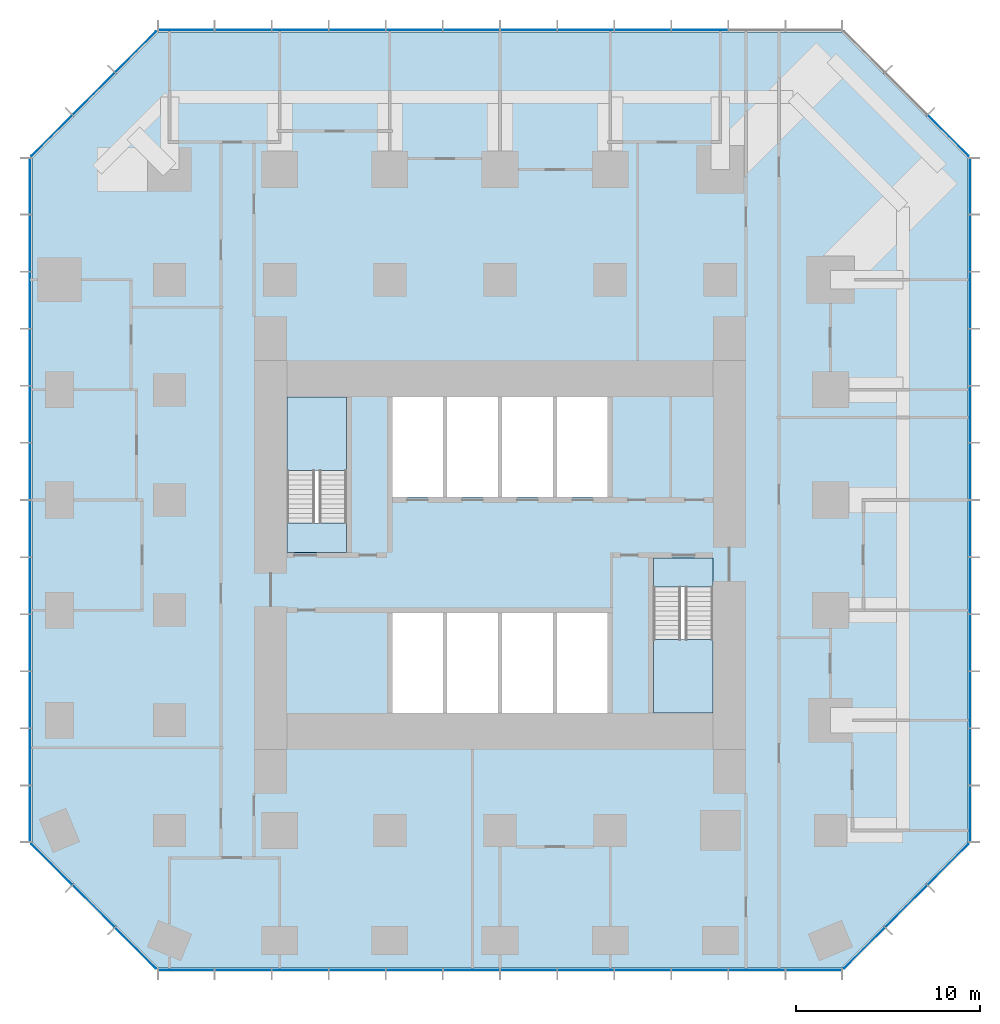
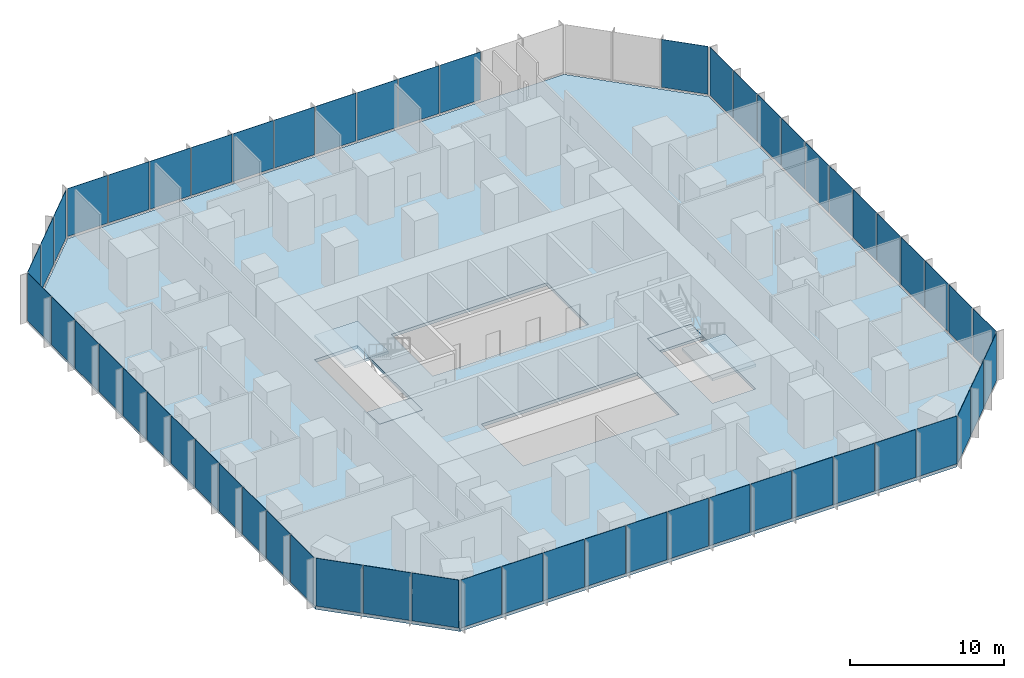
# One storey, part 7 of 12: 56 plates, 5 slabs, 10 elements without a shape of their own.
"""IFC4 building model written with IfcOpenShell, lengths in metres."""

import ifcopenshell
import ifcopenshell.guid

model = None  # the IFC model being written
_history = None  # IfcOwnerHistory: only IFC2X3 demands one
_inside = {}  # id of a spatial element -> (the spatial element, [elements in it])
_under = {}  # id of a project, library or spatial element -> (it, [spatial elements below it])
_declared = {}  # id of a project -> (the project, [libraries it declares])
_typed = {}  # id of a type object -> (the type object, [elements of that type])
_made_of = {}  # id of a material, layer set ... -> (it, [elements and type objects made of it])


def new_model(schema):
    """Start an empty IFC model of exactly this schema.

    Asked for "IFC4X3", IfcOpenShell would pick the latest addendum, in which some entities
    have other attributes; the version numbers below select the first issue.
    IFC2X3 requires an IfcOwnerHistory on every rooted entity: one is made here for all.
    """
    global model, _history
    if schema == "IFC4X3":
        model = ifcopenshell.file(schema_version=(4, 3, 0, 0))
    else:
        model = ifcopenshell.file(schema=schema)
    _inside.clear()
    _under.clear()
    _declared.clear()
    _typed.clear()
    _made_of.clear()
    _history = None
    if model.schema == "IFC2X3":
        org = make("IfcOrganization", Name="unknown")
        user = make(
            "IfcPersonAndOrganization",
            ThePerson=make("IfcPerson", FamilyName="unknown"),
            TheOrganization=org,
        )
        app = make(
            "IfcApplication",
            ApplicationDeveloper=org,
            Version="unknown",
            ApplicationFullName="unknown",
            ApplicationIdentifier="unknown",
        )
        _history = make(
            "IfcOwnerHistory",
            OwningUser=user,
            OwningApplication=app,
            ChangeAction="ADDED",
            CreationDate=0,
        )
    return model


def make(cls, **values):
    """One entity of the class cls with the attributes given. An attribute that is None is left unset."""
    return model.create_entity(
        cls, **{name: value for name, value in values.items() if value is not None}
    )


def rooted(cls, **values):
    """An entity with a GlobalId (a new one), such as an element, a storey or a relation."""
    return make(cls, GlobalId=ifcopenshell.guid.new(), OwnerHistory=_history, **values)


def si_unit(unit_type, name, prefix=None):
    """IfcSIUnit, for example si_unit("LENGTHUNIT", "METRE", prefix="MILLI")."""
    return make("IfcSIUnit", UnitType=unit_type, Prefix=prefix, Name=name)


def assignment(units):
    """IfcUnitAssignment: the units of a project."""
    return None if units is None else make("IfcUnitAssignment", Units=units)


def point(xyz):
    """IfcCartesianPoint."""
    return None if xyz is None else make("IfcCartesianPoint", Coordinates=xyz)


def direction(xyz):
    """IfcDirection."""
    return None if xyz is None else make("IfcDirection", DirectionRatios=xyz)


def frame(location, z_axis=None, x_axis=None):
    """IfcAxis2Placement3D, a coordinate frame: its origin and axes. An axis left out is left unset."""
    return make(
        "IfcAxis2Placement3D",
        Location=point(location),
        Axis=direction(z_axis),
        RefDirection=direction(x_axis),
    )


def frame_2d(location, x_axis=None):
    """IfcAxis2Placement2D, a coordinate frame in the plane: its origin and x axis."""
    return make(
        "IfcAxis2Placement2D", Location=point(location), RefDirection=direction(x_axis)
    )


def origin():
    """The frame at (0, 0, 0) with its axes left unset."""
    return frame((0.0, 0.0, 0.0))


def origin_2d():
    """The frame at (0, 0) in the plane with its x axis left unset."""
    return frame_2d((0.0, 0.0))


def place(relative_to, where):
    """IfcLocalPlacement: puts the frame where relative to a parent placement (None: the world)."""
    return make(
        "IfcLocalPlacement", PlacementRelTo=relative_to, RelativePlacement=where
    )


def context(
    kind, dimensions, precision=None, world=None, true_north=None, identifier=None
):
    """IfcGeometricRepresentationContext, for example the 3D "Model" context."""
    return make(
        "IfcGeometricRepresentationContext",
        ContextIdentifier=identifier,
        ContextType=kind,
        CoordinateSpaceDimension=dimensions,
        Precision=precision,
        WorldCoordinateSystem=world,
        TrueNorth=true_north,
    )


def subcontext(parent, identifier, kind, view, scale=None):
    """IfcGeometricRepresentationSubContext, for example "Body" below "Model"."""
    return make(
        "IfcGeometricRepresentationSubContext",
        ContextIdentifier=identifier,
        ContextType=kind,
        ParentContext=parent,
        TargetScale=scale,
        TargetView=view,
    )


def project(units=None, contexts=None):
    """IfcProject with its units and contexts."""
    return rooted(
        "IfcProject",
        Name="project",
        RepresentationContexts=contexts,
        UnitsInContext=assignment(units),
    )


def spatial(cls, under=None, at=None, **own):
    """A site, building, storey or space (cls), placed at a placement, below another one or the project."""
    s = rooted(cls, ObjectPlacement=at, **own)
    if under is not None:
        _under.setdefault(under.id(), (under, []))[1].append(s)
    return s


def polyline(points):
    """IfcPolyline through the points."""
    return make("IfcPolyline", Points=[point(p) for p in points])


def profile(cls, at=None, kind="AREA", **sizes):
    """A parametric profile (cls). Its sizes go by their IFC names, for example OverallWidth=200.0."""
    return make(cls, ProfileType=kind, Position=at, **sizes)


def rectangle(**sizes):
    """IfcRectangleProfileDef."""
    return profile("IfcRectangleProfileDef", **sizes)


def outline(outer, holes=None, kind="AREA"):
    """IfcArbitraryClosedProfileDef: a profile drawn as a closed curve; with holes, ...WithVoids."""
    if holes is None:
        return make("IfcArbitraryClosedProfileDef", ProfileType=kind, OuterCurve=outer)
    return make(
        "IfcArbitraryProfileDefWithVoids",
        ProfileType=kind,
        OuterCurve=outer,
        InnerCurves=holes,
    )


def extrude(swept, where, along, depth):
    """IfcExtrudedAreaSolid: the profile swept, set in the frame where, extruded along a direction by depth."""
    return make(
        "IfcExtrudedAreaSolid",
        SweptArea=swept,
        Position=where,
        ExtrudedDirection=direction(along),
        Depth=depth,
    )


def shape(context_of_items, identifier, shape_type, items):
    """IfcShapeRepresentation: the items that make up one representation, for example the "Body"."""
    return make(
        "IfcShapeRepresentation",
        ContextOfItems=context_of_items,
        RepresentationIdentifier=identifier,
        RepresentationType=shape_type,
        Items=items,
    )


def material(Name=None, Category=None):
    """IfcMaterial."""
    return make("IfcMaterial", Name=Name, Category=Category)


def layer(
    of_material, thickness, ventilated=None, Name=None, Category=None, Priority=None
):
    """IfcMaterialLayer: one layer of a wall or slab, of a material (None: an air gap)."""
    return make(
        "IfcMaterialLayer",
        Material=of_material,
        LayerThickness=thickness,
        IsVentilated=ventilated,
        Name=Name,
        Category=Category,
        Priority=Priority,
    )


def layer_set(layers, Name=None):
    """IfcMaterialLayerSet."""
    return make("IfcMaterialLayerSet", MaterialLayers=layers, LayerSetName=Name)


def made_of(thing, what):
    """Note that an element or type object is made of a material, layer set ...; save() writes the relation."""
    if what is not None:
        _made_of.setdefault(what.id(), (what, []))[1].append(thing)
    return thing


def type_object(cls, material=None, **own):
    """A type object (cls), such as IfcWallType, which elements share."""
    return made_of(rooted(cls, **own), material)


def element(
    cls,
    number,
    at=None,
    inside=None,
    cuts=None,
    type_object=None,
    material=None,
    context=None,
    identifier="Body",
    shape_type=None,
    held_by="IfcProductDefinitionShape",
    body=None,
    shapes=None,
    **own,
):
    """One element of the class cls, such as IfcWall. Its Tag is "e" and its number.

    at: its placement. inside: the storey or other place that contains it. cuts: it is an
    opening in that element (IfcRelVoidsElement). A single representation is given by context,
    identifier, shape_type and body (its items); several are given by shapes. held_by: the class
    of the entity that holds the representations. save() writes the other relations.
    """
    e = rooted(cls, Tag="e%d" % number, ObjectPlacement=at, **own)
    if body is not None:
        shapes = [shape(context, identifier, shape_type, body)]
    if shapes is not None:
        e.Representation = make(held_by, Representations=shapes)
    if inside is not None:
        _inside.setdefault(inside.id(), (inside, []))[1].append(e)
    if cuts is not None:
        rooted(
            "IfcRelVoidsElement", RelatingBuildingElement=cuts, RelatedOpeningElement=e
        )
    if type_object is not None:
        _typed.setdefault(type_object.id(), (type_object, []))[1].append(e)
    return made_of(e, material)


def aggregate(whole, parts):
    """IfcRelAggregates: a whole, such as a stair, and the parts it consists of."""
    return rooted("IfcRelAggregates", RelatingObject=whole, RelatedObjects=parts)


def save(model, path):
    """Write the relations noted so far, then the file.

    IfcRelAggregates (storeys below a building ...), IfcRelContainedInSpatialStructure (elements
    in a storey), IfcRelDefinesByType, IfcRelAssociatesMaterial and IfcRelDeclares: one each for
    every whole, place, type object, material and project.
    """
    for whole, parts in _under.values():
        aggregate(whole, parts)
    for where, things in _inside.values():
        rooted(
            "IfcRelContainedInSpatialStructure",
            RelatedElements=things,
            RelatingStructure=where,
        )
    for kind, things in _typed.values():
        rooted("IfcRelDefinesByType", RelatedObjects=things, RelatingType=kind)
    for what, things in _made_of.values():
        rooted("IfcRelAssociatesMaterial", RelatedObjects=things, RelatingMaterial=what)
    for by, libraries in _declared.values():
        rooted("IfcRelDeclares", RelatingContext=by, RelatedDefinitions=libraries)
    model.write(path)


model = new_model("IFC4")

# Units and contexts
model_context = context("Model", 3, precision=1e-05, world=origin(), true_north=direction((0.0, 1.0)))
body_context = subcontext(model_context, "Body", "Model", "MODEL_VIEW")
ifc_project = project(units=[si_unit("LENGTHUNIT", "METRE"), si_unit("AREAUNIT", "SQUARE_METRE"), si_unit("VOLUMEUNIT", "CUBIC_METRE"), si_unit("PLANEANGLEUNIT", "RADIAN"), si_unit("MASSUNIT", "GRAM", prefix="KILO")], contexts=[model_context])

# Site, building, storey
site_placement = place(None, origin())
site = spatial("IfcSite", under=ifc_project, at=site_placement, CompositionType="ELEMENT")
building_placement = place(site_placement, origin())
building = spatial("IfcBuilding", under=site, at=building_placement, Name="Highveld Stack Headquarters", CompositionType="ELEMENT")
storey_placement = place(building_placement, frame((0.0, 0.0, 80.60009765625)))
storey = spatial("IfcBuildingStorey", under=building, at=storey_placement, Name="L19", CompositionType="ELEMENT", Elevation=80.60009765625)

# Curtain wall, plates
ifc_material_1 = material(Name="Aluminium bronze anodised", Category="aluminium")
ifc_layer_1 = layer(ifc_material_1, 0.199951171875)
ifc_layer_set_1 = layer_set([ifc_layer_1], Name="Aluminium bronze anodised")
curtain_wall_type_1 = type_object("IfcCurtainWallType", Name="CW1 TOWER UNITISED CURTAIN WALL", PredefinedType="NOTDEFINED", material=ifc_layer_set_1)
curtain_wall_1_placement = place(storey_placement, origin())
curtain_wall_1 = element("IfcCurtainWall", 1, at=curtain_wall_1_placement, inside=storey, type_object=curtain_wall_type_1, Name="Curtain wall CW1 L19 S", PredefinedType="NOTDEFINED")
ifc_material_2 = material(Name="Glass bronze tinted double glazed unit", Category="glass")
ifc_layer_2 = layer(ifc_material_2, 0.028076171875)
ifc_layer_set_2 = layer_set([ifc_layer_2], Name="Glass bronze tinted double glazed unit")
plate_type_1 = type_object("IfcPlateType", Name="CW1 PANEL BRONZE TINTED DOUBLE GLAZED UNIT", PredefinedType="CURTAIN_PANEL", material=ifc_layer_set_2)
plate_1_placement = place(storey_placement, frame((-11.09130859375, -19.60009765625, 0.10009765625), z_axis=(0.0, 0.0, 1.0), x_axis=(1.0, 0.0, 0.0)))
plate_1 = element("IfcPlate", 2, at=plate_1_placement, type_object=plate_type_1, Name="CW1 panel L19 1.1", PredefinedType="CURTAIN_PANEL", context=body_context, shape_type="SweptSolid", body=[
    extrude(rectangle(XDim=3.012939453125, YDim=0.028076171875, at=origin_2d()), origin(), (0.0, 0.0, 1.0), 3.800048828125),
])
plate_2_placement = place(storey_placement, frame((-7.9970703125, -19.60009765625, 0.10009765625), z_axis=(0.0, 0.0, 1.0), x_axis=(1.0, 0.0, 0.0)))
plate_2 = element("IfcPlate", 3, at=plate_2_placement, type_object=plate_type_1, Name="CW1 panel L19 2.1", PredefinedType="CURTAIN_PANEL", context=body_context, shape_type="SweptSolid", body=[
    extrude(rectangle(XDim=3.04541015625, YDim=0.028076171875, at=origin_2d()), origin(), (0.0, 0.0, 1.0), 3.800048828125),
])
plate_3_placement = place(storey_placement, frame((-4.88671875, -19.60009765625, 0.10009765625), z_axis=(0.0, 0.0, 1.0), x_axis=(1.0, 0.0, 0.0)))
plate_3 = element("IfcPlate", 4, at=plate_3_placement, type_object=plate_type_1, Name="CW1 panel L19 3.1", PredefinedType="CURTAIN_PANEL", context=body_context, shape_type="SweptSolid", body=[
    extrude(rectangle(XDim=3.04541015625, YDim=0.028076171875, at=origin_2d()), origin(), (0.0, 0.0, 1.0), 3.800048828125),
])
plate_4_placement = place(storey_placement, frame((-1.776123046875, -19.60009765625, 0.10009765625), z_axis=(0.0, 0.0, 1.0), x_axis=(1.0, 0.0, 0.0)))
plate_4 = element("IfcPlate", 5, at=plate_4_placement, type_object=plate_type_1, Name="CW1 panel L19 4.1", PredefinedType="CURTAIN_PANEL", context=body_context, shape_type="SweptSolid", body=[
    extrude(rectangle(XDim=3.04541015625, YDim=0.028076171875, at=origin_2d()), origin(), (0.0, 0.0, 1.0), 3.800048828125),
])
plate_5_placement = place(storey_placement, frame((1.334228515625, -19.60009765625, 0.10009765625), z_axis=(0.0, 0.0, 1.0), x_axis=(1.0, 0.0, 0.0)))
plate_5 = element("IfcPlate", 6, at=plate_5_placement, type_object=plate_type_1, Name="CW1 panel L19 5.1", PredefinedType="CURTAIN_PANEL", context=body_context, shape_type="SweptSolid", body=[
    extrude(rectangle(XDim=3.04541015625, YDim=0.028076171875, at=origin_2d()), origin(), (0.0, 0.0, 1.0), 3.800048828125),
])
plate_6_placement = place(storey_placement, frame((4.44482421875, -19.60009765625, 0.10009765625), z_axis=(0.0, 0.0, 1.0), x_axis=(1.0, 0.0, 0.0)))
plate_6 = element("IfcPlate", 7, at=plate_6_placement, type_object=plate_type_1, Name="CW1 panel L19 6.1", PredefinedType="CURTAIN_PANEL", context=body_context, shape_type="SweptSolid", body=[
    extrude(rectangle(XDim=3.04541015625, YDim=0.028076171875, at=origin_2d()), origin(), (0.0, 0.0, 1.0), 3.800048828125),
])
plate_7_placement = place(storey_placement, frame((7.55517578125, -19.60009765625, 0.10009765625), z_axis=(0.0, 0.0, 1.0), x_axis=(1.0, 0.0, 0.0)))
plate_7 = element("IfcPlate", 8, at=plate_7_placement, type_object=plate_type_1, Name="CW1 panel L19 7.1", PredefinedType="CURTAIN_PANEL", context=body_context, shape_type="SweptSolid", body=[
    extrude(rectangle(XDim=3.04541015625, YDim=0.028076171875, at=origin_2d()), origin(), (0.0, 0.0, 1.0), 3.800048828125),
])
plate_8_placement = place(storey_placement, frame((10.665771484375, -19.60009765625, 0.10009765625), z_axis=(0.0, 0.0, 1.0), x_axis=(1.0, 0.0, 0.0)))
plate_8 = element("IfcPlate", 9, at=plate_8_placement, type_object=plate_type_1, Name="CW1 panel L19 8.1", PredefinedType="CURTAIN_PANEL", context=body_context, shape_type="SweptSolid", body=[
    extrude(rectangle(XDim=3.04541015625, YDim=0.028076171875, at=origin_2d()), origin(), (0.0, 0.0, 1.0), 3.800048828125),
])
plate_9_placement = place(storey_placement, frame((13.776123046875, -19.60009765625, 0.10009765625), z_axis=(0.0, 0.0, 1.0), x_axis=(1.0, 0.0, 0.0)))
plate_9 = element("IfcPlate", 10, at=plate_9_placement, type_object=plate_type_1, Name="CW1 panel L19 9.1", PredefinedType="CURTAIN_PANEL", context=body_context, shape_type="SweptSolid", body=[
    extrude(rectangle(XDim=3.04541015625, YDim=0.028076171875, at=origin_2d()), origin(), (0.0, 0.0, 1.0), 3.800048828125),
])
plate_10_placement = place(storey_placement, frame((16.88671875, -19.60009765625, 0.10009765625), z_axis=(0.0, 0.0, 1.0), x_axis=(1.0, 0.0, 0.0)))
plate_10 = element("IfcPlate", 11, at=plate_10_placement, type_object=plate_type_1, Name="CW1 panel L19 10.1", PredefinedType="CURTAIN_PANEL", context=body_context, shape_type="SweptSolid", body=[
    extrude(rectangle(XDim=3.04541015625, YDim=0.028076171875, at=origin_2d()), origin(), (0.0, 0.0, 1.0), 3.800048828125),
])
plate_11_placement = place(storey_placement, frame((19.9970703125, -19.60009765625, 0.10009765625), z_axis=(0.0, 0.0, 1.0), x_axis=(1.0, 0.0, 0.0)))
plate_11 = element("IfcPlate", 12, at=plate_11_placement, type_object=plate_type_1, Name="CW1 panel L19 11.1", PredefinedType="CURTAIN_PANEL", context=body_context, shape_type="SweptSolid", body=[
    extrude(rectangle(XDim=3.04541015625, YDim=0.028076171875, at=origin_2d()), origin(), (0.0, 0.0, 1.0), 3.800048828125),
])
plate_12_placement = place(storey_placement, frame((23.09130859375, -19.60009765625, 0.10009765625), z_axis=(0.0, 0.0, 1.0), x_axis=(1.0, 0.0, 0.0)))
plate_12 = element("IfcPlate", 13, at=plate_12_placement, type_object=plate_type_1, Name="CW1 panel L19 12.1", PredefinedType="CURTAIN_PANEL", context=body_context, shape_type="SweptSolid", body=[
    extrude(rectangle(XDim=3.012939453125, YDim=0.028076171875, at=origin_2d()), origin(), (0.0, 0.0, 1.0), 3.800048828125),
])
aggregate(curtain_wall_1, [plate_1, plate_2, plate_3, plate_4, plate_5, plate_6, plate_7, plate_8, plate_9, plate_10, plate_11, plate_12])

curtain_wall_2_placement = place(storey_placement, origin())
curtain_wall_2 = element("IfcCurtainWall", 14, at=curtain_wall_2_placement, inside=storey, type_object=curtain_wall_type_1, Name="Curtain wall CW1 L19 E", PredefinedType="NOTDEFINED")
plate_13_placement = place(storey_placement, frame((31.60009765625, -11.09130859375, 0.10009765625), z_axis=(0.0, 0.0, 1.0), x_axis=(0.0, 1.0, 0.0)))
plate_13 = element("IfcPlate", 15, at=plate_13_placement, type_object=plate_type_1, Name="CW1 panel L19 1.1", PredefinedType="CURTAIN_PANEL", context=body_context, shape_type="SweptSolid", body=[
    extrude(rectangle(XDim=3.012939453125, YDim=0.028076171875, at=origin_2d()), origin(), (0.0, 0.0, 1.0), 3.800048828125),
])
plate_14_placement = place(storey_placement, frame((31.60009765625, -7.9970703125, 0.10009765625), z_axis=(0.0, 0.0, 1.0), x_axis=(0.0, 1.0, 0.0)))
plate_14 = element("IfcPlate", 16, at=plate_14_placement, type_object=plate_type_1, Name="CW1 panel L19 2.1", PredefinedType="CURTAIN_PANEL", context=body_context, shape_type="SweptSolid", body=[
    extrude(rectangle(XDim=3.04541015625, YDim=0.028076171875, at=origin_2d()), origin(), (0.0, 0.0, 1.0), 3.800048828125),
])
plate_15_placement = place(storey_placement, frame((31.60009765625, -4.88671875, 0.10009765625), z_axis=(0.0, 0.0, 1.0), x_axis=(0.0, 1.0, 0.0)))
plate_15 = element("IfcPlate", 17, at=plate_15_placement, type_object=plate_type_1, Name="CW1 panel L19 3.1", PredefinedType="CURTAIN_PANEL", context=body_context, shape_type="SweptSolid", body=[
    extrude(rectangle(XDim=3.04541015625, YDim=0.028076171875, at=origin_2d()), origin(), (0.0, 0.0, 1.0), 3.800048828125),
])
plate_16_placement = place(storey_placement, frame((31.60009765625, -1.776123046875, 0.10009765625), z_axis=(0.0, 0.0, 1.0), x_axis=(0.0, 1.0, 0.0)))
plate_16 = element("IfcPlate", 18, at=plate_16_placement, type_object=plate_type_1, Name="CW1 panel L19 4.1", PredefinedType="CURTAIN_PANEL", context=body_context, shape_type="SweptSolid", body=[
    extrude(rectangle(XDim=3.04541015625, YDim=0.028076171875, at=origin_2d()), origin(), (0.0, 0.0, 1.0), 3.800048828125),
])
plate_17_placement = place(storey_placement, frame((31.60009765625, 1.334228515625, 0.10009765625), z_axis=(0.0, 0.0, 1.0), x_axis=(0.0, 1.0, 0.0)))
plate_17 = element("IfcPlate", 19, at=plate_17_placement, type_object=plate_type_1, Name="CW1 panel L19 5.1", PredefinedType="CURTAIN_PANEL", context=body_context, shape_type="SweptSolid", body=[
    extrude(rectangle(XDim=3.04541015625, YDim=0.028076171875, at=origin_2d()), origin(), (0.0, 0.0, 1.0), 3.800048828125),
])
plate_18_placement = place(storey_placement, frame((31.60009765625, 4.44482421875, 0.10009765625), z_axis=(0.0, 0.0, 1.0), x_axis=(0.0, 1.0, 0.0)))
plate_18 = element("IfcPlate", 20, at=plate_18_placement, type_object=plate_type_1, Name="CW1 panel L19 6.1", PredefinedType="CURTAIN_PANEL", context=body_context, shape_type="SweptSolid", body=[
    extrude(rectangle(XDim=3.04541015625, YDim=0.028076171875, at=origin_2d()), origin(), (0.0, 0.0, 1.0), 3.800048828125),
])
plate_19_placement = place(storey_placement, frame((31.60009765625, 7.55517578125, 0.10009765625), z_axis=(0.0, 0.0, 1.0), x_axis=(0.0, 1.0, 0.0)))
plate_19 = element("IfcPlate", 21, at=plate_19_placement, type_object=plate_type_1, Name="CW1 panel L19 7.1", PredefinedType="CURTAIN_PANEL", context=body_context, shape_type="SweptSolid", body=[
    extrude(rectangle(XDim=3.04541015625, YDim=0.028076171875, at=origin_2d()), origin(), (0.0, 0.0, 1.0), 3.800048828125),
])
plate_20_placement = place(storey_placement, frame((31.60009765625, 10.665771484375, 0.10009765625), z_axis=(0.0, 0.0, 1.0), x_axis=(0.0, 1.0, 0.0)))
plate_20 = element("IfcPlate", 22, at=plate_20_placement, type_object=plate_type_1, Name="CW1 panel L19 8.1", PredefinedType="CURTAIN_PANEL", context=body_context, shape_type="SweptSolid", body=[
    extrude(rectangle(XDim=3.04541015625, YDim=0.028076171875, at=origin_2d()), origin(), (0.0, 0.0, 1.0), 3.800048828125),
])
plate_21_placement = place(storey_placement, frame((31.60009765625, 13.776123046875, 0.10009765625), z_axis=(0.0, 0.0, 1.0), x_axis=(0.0, 1.0, 0.0)))
plate_21 = element("IfcPlate", 23, at=plate_21_placement, type_object=plate_type_1, Name="CW1 panel L19 9.1", PredefinedType="CURTAIN_PANEL", context=body_context, shape_type="SweptSolid", body=[
    extrude(rectangle(XDim=3.04541015625, YDim=0.028076171875, at=origin_2d()), origin(), (0.0, 0.0, 1.0), 3.800048828125),
])
plate_22_placement = place(storey_placement, frame((31.60009765625, 16.88671875, 0.10009765625), z_axis=(0.0, 0.0, 1.0), x_axis=(0.0, 1.0, 0.0)))
plate_22 = element("IfcPlate", 24, at=plate_22_placement, type_object=plate_type_1, Name="CW1 panel L19 10.1", PredefinedType="CURTAIN_PANEL", context=body_context, shape_type="SweptSolid", body=[
    extrude(rectangle(XDim=3.04541015625, YDim=0.028076171875, at=origin_2d()), origin(), (0.0, 0.0, 1.0), 3.800048828125),
])
plate_23_placement = place(storey_placement, frame((31.60009765625, 19.9970703125, 0.10009765625), z_axis=(0.0, 0.0, 1.0), x_axis=(0.0, 1.0, 0.0)))
plate_23 = element("IfcPlate", 25, at=plate_23_placement, type_object=plate_type_1, Name="CW1 panel L19 11.1", PredefinedType="CURTAIN_PANEL", context=body_context, shape_type="SweptSolid", body=[
    extrude(rectangle(XDim=3.04541015625, YDim=0.028076171875, at=origin_2d()), origin(), (0.0, 0.0, 1.0), 3.800048828125),
])
plate_24_placement = place(storey_placement, frame((31.60009765625, 23.09130859375, 0.10009765625), z_axis=(0.0, 0.0, 1.0), x_axis=(0.0, 1.0, 0.0)))
plate_24 = element("IfcPlate", 26, at=plate_24_placement, type_object=plate_type_1, Name="CW1 panel L19 12.1", PredefinedType="CURTAIN_PANEL", context=body_context, shape_type="SweptSolid", body=[
    extrude(rectangle(XDim=3.012939453125, YDim=0.028076171875, at=origin_2d()), origin(), (0.0, 0.0, 1.0), 3.800048828125),
])
aggregate(curtain_wall_2, [plate_13, plate_14, plate_15, plate_16, plate_17, plate_18, plate_19, plate_20, plate_21, plate_22, plate_23, plate_24])

curtain_wall_3_placement = place(storey_placement, origin())
curtain_wall_3 = element("IfcCurtainWall", 27, at=curtain_wall_3_placement, inside=storey, type_object=curtain_wall_type_1, Name="Curtain wall CW1 L19 N", PredefinedType="NOTDEFINED")
plate_25_placement = place(storey_placement, frame((16.88671875, 31.60009765625, 0.10009765625), z_axis=(0.0, 0.0, 1.0), x_axis=(-1.0, 0.0, 0.0)))
plate_25 = element("IfcPlate", 28, at=plate_25_placement, type_object=plate_type_1, Name="CW1 panel L19 3.1", PredefinedType="CURTAIN_PANEL", context=body_context, shape_type="SweptSolid", body=[
    extrude(rectangle(XDim=3.04541015625, YDim=0.028076171875, at=origin_2d()), origin(), (0.0, 0.0, 1.0), 3.800048828125),
])
plate_26_placement = place(storey_placement, frame((13.776123046875, 31.60009765625, 0.10009765625), z_axis=(0.0, 0.0, 1.0), x_axis=(-1.0, 0.0, 0.0)))
plate_26 = element("IfcPlate", 29, at=plate_26_placement, type_object=plate_type_1, Name="CW1 panel L19 4.1", PredefinedType="CURTAIN_PANEL", context=body_context, shape_type="SweptSolid", body=[
    extrude(rectangle(XDim=3.04541015625, YDim=0.028076171875, at=origin_2d()), origin(), (0.0, 0.0, 1.0), 3.800048828125),
])
plate_27_placement = place(storey_placement, frame((10.665771484375, 31.60009765625, 0.10009765625), z_axis=(0.0, 0.0, 1.0), x_axis=(-1.0, 0.0, 0.0)))
plate_27 = element("IfcPlate", 30, at=plate_27_placement, type_object=plate_type_1, Name="CW1 panel L19 5.1", PredefinedType="CURTAIN_PANEL", context=body_context, shape_type="SweptSolid", body=[
    extrude(rectangle(XDim=3.04541015625, YDim=0.028076171875, at=origin_2d()), origin(), (0.0, 0.0, 1.0), 3.800048828125),
])
plate_28_placement = place(storey_placement, frame((7.55517578125, 31.60009765625, 0.10009765625), z_axis=(0.0, 0.0, 1.0), x_axis=(-1.0, 0.0, 0.0)))
plate_28 = element("IfcPlate", 31, at=plate_28_placement, type_object=plate_type_1, Name="CW1 panel L19 6.1", PredefinedType="CURTAIN_PANEL", context=body_context, shape_type="SweptSolid", body=[
    extrude(rectangle(XDim=3.04541015625, YDim=0.028076171875, at=origin_2d()), origin(), (0.0, 0.0, 1.0), 3.800048828125),
])
plate_29_placement = place(storey_placement, frame((4.44482421875, 31.60009765625, 0.10009765625), z_axis=(0.0, 0.0, 1.0), x_axis=(-1.0, 0.0, 0.0)))
plate_29 = element("IfcPlate", 32, at=plate_29_placement, type_object=plate_type_1, Name="CW1 panel L19 7.1", PredefinedType="CURTAIN_PANEL", context=body_context, shape_type="SweptSolid", body=[
    extrude(rectangle(XDim=3.04541015625, YDim=0.028076171875, at=origin_2d()), origin(), (0.0, 0.0, 1.0), 3.800048828125),
])
plate_30_placement = place(storey_placement, frame((1.334228515625, 31.60009765625, 0.10009765625), z_axis=(0.0, 0.0, 1.0), x_axis=(-1.0, 0.0, 0.0)))
plate_30 = element("IfcPlate", 33, at=plate_30_placement, type_object=plate_type_1, Name="CW1 panel L19 8.1", PredefinedType="CURTAIN_PANEL", context=body_context, shape_type="SweptSolid", body=[
    extrude(rectangle(XDim=3.04541015625, YDim=0.028076171875, at=origin_2d()), origin(), (0.0, 0.0, 1.0), 3.800048828125),
])
plate_31_placement = place(storey_placement, frame((-1.776123046875, 31.60009765625, 0.10009765625), z_axis=(0.0, 0.0, 1.0), x_axis=(-1.0, 0.0, 0.0)))
plate_31 = element("IfcPlate", 34, at=plate_31_placement, type_object=plate_type_1, Name="CW1 panel L19 9.1", PredefinedType="CURTAIN_PANEL", context=body_context, shape_type="SweptSolid", body=[
    extrude(rectangle(XDim=3.04541015625, YDim=0.028076171875, at=origin_2d()), origin(), (0.0, 0.0, 1.0), 3.800048828125),
])
plate_32_placement = place(storey_placement, frame((-4.88671875, 31.60009765625, 0.10009765625), z_axis=(0.0, 0.0, 1.0), x_axis=(-1.0, 0.0, 0.0)))
plate_32 = element("IfcPlate", 35, at=plate_32_placement, type_object=plate_type_1, Name="CW1 panel L19 10.1", PredefinedType="CURTAIN_PANEL", context=body_context, shape_type="SweptSolid", body=[
    extrude(rectangle(XDim=3.04541015625, YDim=0.028076171875, at=origin_2d()), origin(), (0.0, 0.0, 1.0), 3.800048828125),
])
plate_33_placement = place(storey_placement, frame((-7.9970703125, 31.60009765625, 0.10009765625), z_axis=(0.0, 0.0, 1.0), x_axis=(-1.0, 0.0, 0.0)))
plate_33 = element("IfcPlate", 36, at=plate_33_placement, type_object=plate_type_1, Name="CW1 panel L19 11.1", PredefinedType="CURTAIN_PANEL", context=body_context, shape_type="SweptSolid", body=[
    extrude(rectangle(XDim=3.04541015625, YDim=0.028076171875, at=origin_2d()), origin(), (0.0, 0.0, 1.0), 3.800048828125),
])
plate_34_placement = place(storey_placement, frame((-11.09130859375, 31.60009765625, 0.10009765625), z_axis=(0.0, 0.0, 1.0), x_axis=(-1.0, 0.0, 0.0)))
plate_34 = element("IfcPlate", 37, at=plate_34_placement, type_object=plate_type_1, Name="CW1 panel L19 12.1", PredefinedType="CURTAIN_PANEL", context=body_context, shape_type="SweptSolid", body=[
    extrude(rectangle(XDim=3.012939453125, YDim=0.028076171875, at=origin_2d()), origin(), (0.0, 0.0, 1.0), 3.800048828125),
])
aggregate(curtain_wall_3, [plate_25, plate_26, plate_27, plate_28, plate_29, plate_30, plate_31, plate_32, plate_33, plate_34])

curtain_wall_4_placement = place(storey_placement, origin())
curtain_wall_4 = element("IfcCurtainWall", 38, at=curtain_wall_4_placement, inside=storey, type_object=curtain_wall_type_1, Name="Curtain wall CW1 L19 W", PredefinedType="NOTDEFINED")
plate_35_placement = place(storey_placement, frame((-19.60009765625, 23.09130859375, 0.10009765625), z_axis=(0.0, 0.0, 1.0), x_axis=(0.0, -1.0, 0.0)))
plate_35 = element("IfcPlate", 39, at=plate_35_placement, type_object=plate_type_1, Name="CW1 panel L19 1.1", PredefinedType="CURTAIN_PANEL", context=body_context, shape_type="SweptSolid", body=[
    extrude(rectangle(XDim=3.012939453125, YDim=0.028076171875, at=origin_2d()), origin(), (0.0, 0.0, 1.0), 3.800048828125),
])
plate_36_placement = place(storey_placement, frame((-19.60009765625, 19.9970703125, 0.10009765625), z_axis=(0.0, 0.0, 1.0), x_axis=(0.0, -1.0, 0.0)))
plate_36 = element("IfcPlate", 40, at=plate_36_placement, type_object=plate_type_1, Name="CW1 panel L19 2.1", PredefinedType="CURTAIN_PANEL", context=body_context, shape_type="SweptSolid", body=[
    extrude(rectangle(XDim=3.04541015625, YDim=0.028076171875, at=origin_2d()), origin(), (0.0, 0.0, 1.0), 3.800048828125),
])
plate_37_placement = place(storey_placement, frame((-19.60009765625, 16.88671875, 0.10009765625), z_axis=(0.0, 0.0, 1.0), x_axis=(0.0, -1.0, 0.0)))
plate_37 = element("IfcPlate", 41, at=plate_37_placement, type_object=plate_type_1, Name="CW1 panel L19 3.1", PredefinedType="CURTAIN_PANEL", context=body_context, shape_type="SweptSolid", body=[
    extrude(rectangle(XDim=3.04541015625, YDim=0.028076171875, at=origin_2d()), origin(), (0.0, 0.0, 1.0), 3.800048828125),
])
plate_38_placement = place(storey_placement, frame((-19.60009765625, 13.776123046875, 0.10009765625), z_axis=(0.0, 0.0, 1.0), x_axis=(0.0, -1.0, 0.0)))
plate_38 = element("IfcPlate", 42, at=plate_38_placement, type_object=plate_type_1, Name="CW1 panel L19 4.1", PredefinedType="CURTAIN_PANEL", context=body_context, shape_type="SweptSolid", body=[
    extrude(rectangle(XDim=3.04541015625, YDim=0.028076171875, at=origin_2d()), origin(), (0.0, 0.0, 1.0), 3.800048828125),
])
plate_39_placement = place(storey_placement, frame((-19.60009765625, 10.665771484375, 0.10009765625), z_axis=(0.0, 0.0, 1.0), x_axis=(0.0, -1.0, 0.0)))
plate_39 = element("IfcPlate", 43, at=plate_39_placement, type_object=plate_type_1, Name="CW1 panel L19 5.1", PredefinedType="CURTAIN_PANEL", context=body_context, shape_type="SweptSolid", body=[
    extrude(rectangle(XDim=3.04541015625, YDim=0.028076171875, at=origin_2d()), origin(), (0.0, 0.0, 1.0), 3.800048828125),
])
plate_40_placement = place(storey_placement, frame((-19.60009765625, 7.55517578125, 0.10009765625), z_axis=(0.0, 0.0, 1.0), x_axis=(0.0, -1.0, 0.0)))
plate_40 = element("IfcPlate", 44, at=plate_40_placement, type_object=plate_type_1, Name="CW1 panel L19 6.1", PredefinedType="CURTAIN_PANEL", context=body_context, shape_type="SweptSolid", body=[
    extrude(rectangle(XDim=3.04541015625, YDim=0.028076171875, at=origin_2d()), origin(), (0.0, 0.0, 1.0), 3.800048828125),
])
plate_41_placement = place(storey_placement, frame((-19.60009765625, 4.44482421875, 0.10009765625), z_axis=(0.0, 0.0, 1.0), x_axis=(0.0, -1.0, 0.0)))
plate_41 = element("IfcPlate", 45, at=plate_41_placement, type_object=plate_type_1, Name="CW1 panel L19 7.1", PredefinedType="CURTAIN_PANEL", context=body_context, shape_type="SweptSolid", body=[
    extrude(rectangle(XDim=3.04541015625, YDim=0.028076171875, at=origin_2d()), origin(), (0.0, 0.0, 1.0), 3.800048828125),
])
plate_42_placement = place(storey_placement, frame((-19.60009765625, 1.334228515625, 0.10009765625), z_axis=(0.0, 0.0, 1.0), x_axis=(0.0, -1.0, 0.0)))
plate_42 = element("IfcPlate", 46, at=plate_42_placement, type_object=plate_type_1, Name="CW1 panel L19 8.1", PredefinedType="CURTAIN_PANEL", context=body_context, shape_type="SweptSolid", body=[
    extrude(rectangle(XDim=3.04541015625, YDim=0.028076171875, at=origin_2d()), origin(), (0.0, 0.0, 1.0), 3.800048828125),
])
plate_43_placement = place(storey_placement, frame((-19.60009765625, -1.776123046875, 0.10009765625), z_axis=(0.0, 0.0, 1.0), x_axis=(0.0, -1.0, 0.0)))
plate_43 = element("IfcPlate", 47, at=plate_43_placement, type_object=plate_type_1, Name="CW1 panel L19 9.1", PredefinedType="CURTAIN_PANEL", context=body_context, shape_type="SweptSolid", body=[
    extrude(rectangle(XDim=3.04541015625, YDim=0.028076171875, at=origin_2d()), origin(), (0.0, 0.0, 1.0), 3.800048828125),
])
plate_44_placement = place(storey_placement, frame((-19.60009765625, -4.88671875, 0.10009765625), z_axis=(0.0, 0.0, 1.0), x_axis=(0.0, -1.0, 0.0)))
plate_44 = element("IfcPlate", 48, at=plate_44_placement, type_object=plate_type_1, Name="CW1 panel L19 10.1", PredefinedType="CURTAIN_PANEL", context=body_context, shape_type="SweptSolid", body=[
    extrude(rectangle(XDim=3.04541015625, YDim=0.028076171875, at=origin_2d()), origin(), (0.0, 0.0, 1.0), 3.800048828125),
])
plate_45_placement = place(storey_placement, frame((-19.60009765625, -7.9970703125, 0.10009765625), z_axis=(0.0, 0.0, 1.0), x_axis=(0.0, -1.0, 0.0)))
plate_45 = element("IfcPlate", 49, at=plate_45_placement, type_object=plate_type_1, Name="CW1 panel L19 11.1", PredefinedType="CURTAIN_PANEL", context=body_context, shape_type="SweptSolid", body=[
    extrude(rectangle(XDim=3.04541015625, YDim=0.028076171875, at=origin_2d()), origin(), (0.0, 0.0, 1.0), 3.800048828125),
])
plate_46_placement = place(storey_placement, frame((-19.60009765625, -11.09130859375, 0.10009765625), z_axis=(0.0, 0.0, 1.0), x_axis=(0.0, -1.0, 0.0)))
plate_46 = element("IfcPlate", 50, at=plate_46_placement, type_object=plate_type_1, Name="CW1 panel L19 12.1", PredefinedType="CURTAIN_PANEL", context=body_context, shape_type="SweptSolid", body=[
    extrude(rectangle(XDim=3.012939453125, YDim=0.028076171875, at=origin_2d()), origin(), (0.0, 0.0, 1.0), 3.800048828125),
])
aggregate(curtain_wall_4, [plate_35, plate_36, plate_37, plate_38, plate_39, plate_40, plate_41, plate_42, plate_43, plate_44, plate_45, plate_46])

ifc_material_3 = material(Name="Aluminium bronze anodised", Category="aluminium")
ifc_layer_3 = layer(ifc_material_3, 0.199951171875)
ifc_layer_set_3 = layer_set([ifc_layer_3], Name="Aluminium bronze anodised")
curtain_wall_type_2 = type_object("IfcCurtainWallType", Name="CW2 TOWER CHAMFER UNITISED CURTAIN WALL", PredefinedType="NOTDEFINED", material=ifc_layer_set_3)
curtain_wall_5_placement = place(storey_placement, origin())
curtain_wall_5 = element("IfcCurtainWall", 51, at=curtain_wall_5_placement, inside=storey, type_object=curtain_wall_type_2, Name="Curtain wall CW2 L19 SE", PredefinedType="NOTDEFINED")
ifc_material_4 = material(Name="Glass bronze tinted double glazed unit", Category="glass")
ifc_layer_4 = layer(ifc_material_4, 0.028076171875)
ifc_layer_set_4 = layer_set([ifc_layer_4], Name="Glass bronze tinted double glazed unit")
plate_type_2 = type_object("IfcPlateType", Name="CW2 PANEL BRONZE TINTED DOUBLE GLAZED UNIT", PredefinedType="CURTAIN_PANEL", material=ifc_layer_set_4)
plate_47_placement = place(storey_placement, frame((25.8427734375, -18.419921875, 0.10009765625), z_axis=(0.0, 0.0, 1.0), x_axis=(0.707106781187, 0.707106781187, 0.0)))
plate_47 = element("IfcPlate", 52, at=plate_47_placement, type_object=plate_type_2, Name="CW2 panel L19 1.1", PredefinedType="CURTAIN_PANEL", context=body_context, shape_type="SweptSolid", body=[
    extrude(rectangle(XDim=3.1376953125, YDim=0.028076171875, at=origin_2d()), origin(), (0.0, 0.0, 1.0), 3.800048828125),
])
plate_48_placement = place(storey_placement, frame((28.13134765625, -16.13134765625, 0.10009765625), z_axis=(0.0, 0.0, 1.0), x_axis=(0.707106781187, 0.707106781187, 0.0)))
plate_48 = element("IfcPlate", 53, at=plate_48_placement, type_object=plate_type_2, Name="CW2 panel L19 2.1", PredefinedType="CURTAIN_PANEL", context=body_context, shape_type="SweptSolid", body=[
    extrude(rectangle(XDim=3.205322265625, YDim=0.028076171875, at=origin_2d()), origin(), (0.0, 0.0, 1.0), 3.800048828125),
])
plate_49_placement = place(storey_placement, frame((30.419921875, -13.8427734375, 0.10009765625), z_axis=(0.0, 0.0, 1.0), x_axis=(0.707106781187, 0.707106781187, 0.0)))
plate_49 = element("IfcPlate", 54, at=plate_49_placement, type_object=plate_type_2, Name="CW2 panel L19 3.1", PredefinedType="CURTAIN_PANEL", context=body_context, shape_type="SweptSolid", body=[
    extrude(rectangle(XDim=3.1376953125, YDim=0.028076171875, at=origin_2d()), origin(), (0.0, 0.0, 1.0), 3.800048828125),
])
aggregate(curtain_wall_5, [plate_47, plate_48, plate_49])

# Curtain wall, plate
curtain_wall_6_placement = place(storey_placement, origin())
curtain_wall_6 = element("IfcCurtainWall", 55, at=curtain_wall_6_placement, inside=storey, type_object=curtain_wall_type_2, Name="Curtain wall CW2 L19 NE", PredefinedType="NOTDEFINED")
plate_50_placement = place(storey_placement, frame((30.419921875, 25.8427734375, 0.10009765625), z_axis=(0.0, 0.0, 1.0), x_axis=(-0.707106781187, 0.707106781187, 0.0)))
plate_50 = element("IfcPlate", 56, at=plate_50_placement, type_object=plate_type_2, Name="CW2 panel L19 1.1", PredefinedType="CURTAIN_PANEL", context=body_context, shape_type="SweptSolid", body=[
    extrude(rectangle(XDim=3.1376953125, YDim=0.028076171875, at=origin_2d()), origin(), (0.0, 0.0, 1.0), 3.800048828125),
])
aggregate(curtain_wall_6, [plate_50])

# Curtain wall, plates
curtain_wall_7_placement = place(storey_placement, origin())
curtain_wall_7 = element("IfcCurtainWall", 57, at=curtain_wall_7_placement, inside=storey, type_object=curtain_wall_type_2, Name="Curtain wall CW2 L19 NW", PredefinedType="NOTDEFINED")
plate_51_placement = place(storey_placement, frame((-13.8427734375, 30.419921875, 0.10009765625), z_axis=(0.0, 0.0, 1.0), x_axis=(-0.707106781187, -0.707106781187, 0.0)))
plate_51 = element("IfcPlate", 58, at=plate_51_placement, type_object=plate_type_2, Name="CW2 panel L19 1.1", PredefinedType="CURTAIN_PANEL", context=body_context, shape_type="SweptSolid", body=[
    extrude(rectangle(XDim=3.1376953125, YDim=0.028076171875, at=origin_2d()), origin(), (0.0, 0.0, 1.0), 3.800048828125),
])
plate_52_placement = place(storey_placement, frame((-16.13134765625, 28.13134765625, 0.10009765625), z_axis=(0.0, 0.0, 1.0), x_axis=(-0.707106781187, -0.707106781187, 0.0)))
plate_52 = element("IfcPlate", 59, at=plate_52_placement, type_object=plate_type_2, Name="CW2 panel L19 2.1", PredefinedType="CURTAIN_PANEL", context=body_context, shape_type="SweptSolid", body=[
    extrude(rectangle(XDim=3.205322265625, YDim=0.028076171875, at=origin_2d()), origin(), (0.0, 0.0, 1.0), 3.800048828125),
])
plate_53_placement = place(storey_placement, frame((-18.419921875, 25.8427734375, 0.10009765625), z_axis=(0.0, 0.0, 1.0), x_axis=(-0.707106781187, -0.707106781187, 0.0)))
plate_53 = element("IfcPlate", 60, at=plate_53_placement, type_object=plate_type_2, Name="CW2 panel L19 3.1", PredefinedType="CURTAIN_PANEL", context=body_context, shape_type="SweptSolid", body=[
    extrude(rectangle(XDim=3.1376953125, YDim=0.028076171875, at=origin_2d()), origin(), (0.0, 0.0, 1.0), 3.800048828125),
])
aggregate(curtain_wall_7, [plate_51, plate_52, plate_53])

curtain_wall_8_placement = place(storey_placement, origin())
curtain_wall_8 = element("IfcCurtainWall", 61, at=curtain_wall_8_placement, inside=storey, type_object=curtain_wall_type_2, Name="Curtain wall CW2 L19 SW", PredefinedType="NOTDEFINED")
plate_54_placement = place(storey_placement, frame((-18.419921875, -13.8427734375, 0.10009765625), z_axis=(0.0, 0.0, 1.0), x_axis=(0.707106781187, -0.707106781187, 0.0)))
plate_54 = element("IfcPlate", 62, at=plate_54_placement, type_object=plate_type_2, Name="CW2 panel L19 1.1", PredefinedType="CURTAIN_PANEL", context=body_context, shape_type="SweptSolid", body=[
    extrude(rectangle(XDim=3.1376953125, YDim=0.028076171875, at=origin_2d()), origin(), (0.0, 0.0, 1.0), 3.800048828125),
])
plate_55_placement = place(storey_placement, frame((-16.13134765625, -16.13134765625, 0.10009765625), z_axis=(0.0, 0.0, 1.0), x_axis=(0.707106781187, -0.707106781187, 0.0)))
plate_55 = element("IfcPlate", 63, at=plate_55_placement, type_object=plate_type_2, Name="CW2 panel L19 2.1", PredefinedType="CURTAIN_PANEL", context=body_context, shape_type="SweptSolid", body=[
    extrude(rectangle(XDim=3.205322265625, YDim=0.028076171875, at=origin_2d()), origin(), (0.0, 0.0, 1.0), 3.800048828125),
])
plate_56_placement = place(storey_placement, frame((-13.8427734375, -18.419921875, 0.10009765625), z_axis=(0.0, 0.0, 1.0), x_axis=(0.707106781187, -0.707106781187, 0.0)))
plate_56 = element("IfcPlate", 64, at=plate_56_placement, type_object=plate_type_2, Name="CW2 panel L19 3.1", PredefinedType="CURTAIN_PANEL", context=body_context, shape_type="SweptSolid", body=[
    extrude(rectangle(XDim=3.1376953125, YDim=0.028076171875, at=origin_2d()), origin(), (0.0, 0.0, 1.0), 3.800048828125),
])
aggregate(curtain_wall_8, [plate_54, plate_55, plate_56])

# Slab
ifc_material_5 = material(Name="Concrete C60/75", Category="concrete")
ifc_layer_5 = layer(ifc_material_5, 0.25)
ifc_layer_set_5 = layer_set([ifc_layer_5], Name="Concrete C60/75")
slab_type_1 = type_object("IfcSlabType", Name="PT FLAT SLAB 250", PredefinedType="FLOOR", material=ifc_layer_set_5)
slab_1_placement = place(storey_placement, frame((0.0, 0.0, -0.25)))
element("IfcSlab", 65, at=slab_1_placement, inside=storey, type_object=slab_type_1, Name="Floor slab L19", PredefinedType="FLOOR", context=body_context, shape_type="SweptSolid", body=[
    extrude(outline(polyline([(-12.621337890625, -19.5), (24.621337890625, -19.5), (31.5, -12.621337890625), (31.5, 24.621337890625), (24.621337890625, 31.5), (-12.621337890625, 31.5), (-19.5, 24.621337890625), (-19.5, -12.621337890625), (-12.621337890625, -19.5)]), holes=[polyline([(0.14990234375, 6.14990234375), (11.85009765625, 6.14990234375), (11.85009765625, 11.60009765625), (0.14990234375, 11.60009765625), (0.14990234375, 6.14990234375)]), polyline([(0.14990234375, -5.60009765625), (11.85009765625, -5.60009765625), (11.85009765625, -0.14990234375), (0.14990234375, -0.14990234375), (0.14990234375, -5.60009765625)]), polyline([(-5.60009765625, 3.14990234375), (-2.35009765625, 3.14990234375), (-2.35009765625, 11.60009765625), (-5.60009765625, 11.60009765625), (-5.60009765625, 3.14990234375)]), polyline([(14.35009765625, -5.60009765625), (17.60009765625, -5.60009765625), (17.60009765625, 2.85009765625), (14.35009765625, 2.85009765625), (14.35009765625, -5.60009765625)])]), origin(), (0.0, 0.0, 1.0), 0.25),
])

# Stair, slabs
ifc_material_6 = material(Name="Concrete C40/50, precast", Category="concrete")
stair_type_1 = type_object("IfcStairType", Name="STAIR S1 HALF TURN 1500", PredefinedType="HALF_TURN_STAIR", material=ifc_material_6)
stair_1_placement = place(storey_placement, origin())
stair_1 = element("IfcStair", 66, at=stair_1_placement, inside=storey, type_object=stair_type_1, Name="Stair S1 L19", PredefinedType="HALF_TURN_STAIR")
ifc_material_7 = material(Name="Concrete C40/50, precast", Category="concrete")
ifc_layer_6 = layer(ifc_material_7, 0.199951171875)
ifc_layer_set_6 = layer_set([ifc_layer_6], Name="Concrete C40/50, precast")
slab_type_2 = type_object("IfcSlabType", Name="STAIR LANDING 200", PredefinedType="LANDING", material=ifc_layer_set_6)
slab_2_placement = place(storey_placement, frame((0.0, 0.0, 1.75)))
slab_2 = element("IfcSlab", 67, at=slab_2_placement, type_object=slab_type_2, Name="S1 landing 1", PredefinedType="LANDING", context=body_context, shape_type="SweptSolid", body=[
    extrude(outline(polyline([(-5.60009765625, 7.610107421875), (-2.35009765625, 7.610107421875), (-2.35009765625, 11.60009765625), (-5.60009765625, 11.60009765625), (-5.60009765625, 7.610107421875)])), origin(), (0.0, 0.0, 1.0), 0.199951171875),
])
slab_3_placement = place(storey_placement, frame((0.0, 0.0, -0.2001953125)))
slab_3 = element("IfcSlab", 68, at=slab_3_placement, type_object=slab_type_2, Name="S1 landing 2", PredefinedType="LANDING", context=body_context, shape_type="SweptSolid", body=[
    extrude(outline(polyline([(-5.60009765625, 3.14990234375), (-2.35009765625, 3.14990234375), (-2.35009765625, 4.75), (-5.60009765625, 4.75), (-5.60009765625, 3.14990234375)])), origin(), (0.0, 0.0, 1.0), 0.2001953125),
])
aggregate(stair_1, [slab_2, slab_3])

ifc_material_8 = material(Name="Concrete C40/50, precast", Category="concrete")
stair_type_2 = type_object("IfcStairType", Name="STAIR S2 HALF TURN 1500", PredefinedType="HALF_TURN_STAIR", material=ifc_material_8)
stair_2_placement = place(storey_placement, origin())
stair_2 = element("IfcStair", 69, at=stair_2_placement, inside=storey, type_object=stair_type_2, Name="Stair S2 L19", PredefinedType="HALF_TURN_STAIR")
slab_4_placement = place(storey_placement, frame((0.0, 0.0, 1.75)))
slab_4 = element("IfcSlab", 70, at=slab_4_placement, type_object=slab_type_2, Name="S2 landing 1", PredefinedType="LANDING", context=body_context, shape_type="SweptSolid", body=[
    extrude(outline(polyline([(14.35009765625, -5.60009765625), (17.60009765625, -5.60009765625), (17.60009765625, -1.610107421875), (14.35009765625, -1.610107421875), (14.35009765625, -5.60009765625)])), origin(), (0.0, 0.0, 1.0), 0.199951171875),
])
slab_5_placement = place(storey_placement, frame((0.0, 0.0, -0.2001953125)))
slab_5 = element("IfcSlab", 71, at=slab_5_placement, type_object=slab_type_2, Name="S2 landing 2", PredefinedType="LANDING", context=body_context, shape_type="SweptSolid", body=[
    extrude(outline(polyline([(14.35009765625, 1.25), (17.60009765625, 1.25), (17.60009765625, 2.85009765625), (14.35009765625, 2.85009765625), (14.35009765625, 1.25)])), origin(), (0.0, 0.0, 1.0), 0.2001953125),
])
aggregate(stair_2, [slab_4, slab_5])

save(model, "model.ifc")
